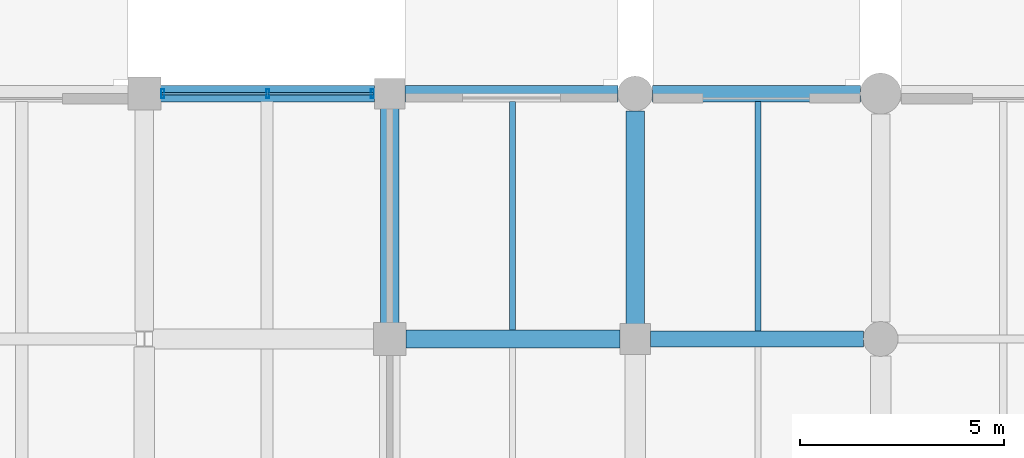
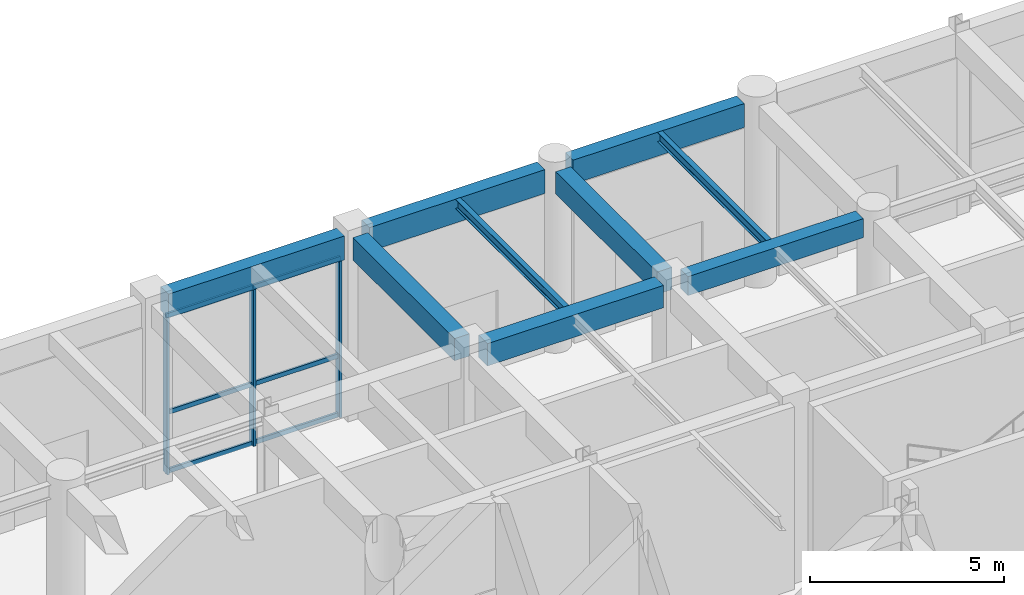
# One storey, part 66 of 106: 9 beams, 9 members, 1 element without a shape of its own.
"""IFC4 building model written with IfcOpenShell, lengths in metres."""

from ifc_helpers import new_model, si_unit, direction, frame, origin, origin_2d, place, context, subcontext, project, spatial, rectangle, hollow_rectangle, i_section, extrude, material, material_profile, profile_set, type_object, element, aggregate, save


model = new_model("IFC4")

# Units and contexts
model_context = context("Model", 3, precision=1e-05, world=origin(), true_north=direction((0.0, 1.0)))
body_context = subcontext(model_context, "Body", "Model", "MODEL_VIEW")
ifc_project = project(units=[si_unit("LENGTHUNIT", "METRE"), si_unit("AREAUNIT", "SQUARE_METRE"), si_unit("VOLUMEUNIT", "CUBIC_METRE"), si_unit("PLANEANGLEUNIT", "RADIAN"), si_unit("MASSUNIT", "GRAM", prefix="KILO"), si_unit("THERMODYNAMICTEMPERATUREUNIT", "KELVIN"), si_unit("POWERUNIT", "WATT")], contexts=[model_context])

# Site, building, storey
site_placement = place(None, origin())
site = spatial("IfcSite", under=ifc_project, at=site_placement, CompositionType="ELEMENT")
building_placement = place(site_placement, origin())
building = spatial("IfcBuilding", under=site, at=building_placement, Name="Phaisarnlok Congress Hotel", CompositionType="ELEMENT")
storey_placement = place(building_placement, origin())
storey = spatial("IfcBuildingStorey", under=building, at=storey_placement, Name="L00", CompositionType="ELEMENT", Elevation=0.0)

# Beams
ifc_material_1 = material(Name="Concrete C40/50", Category="concrete")
ifc_material_profile_1 = material_profile(ifc_material_1, rectangle(XDim=0.39990234375, YDim=0.60009765625, at=origin_2d()), Name="RC 400x600")
ifc_profile_set_1 = profile_set([ifc_material_profile_1], Name="Concrete C40/50")
beam_type_1 = type_object("IfcBeamType", Name="BM-RC-400x600", PredefinedType="BEAM", material=ifc_profile_set_1)
beam_1_placement = place(storey_placement, frame((156.3701171875, 120.0, 5.43994140625), z_axis=(1.0, 0.0, 0.0), x_axis=(0.0, 1.0, 0.0)))
element("IfcBeam", 1, at=beam_1_placement, inside=storey, type_object=beam_type_1, Name="Beam B-02", PredefinedType="BEAM", context=body_context, shape_type="SweptSolid", body=[
    extrude(rectangle(XDim=0.39990234375, YDim=0.60009765625, at=origin_2d()), origin(), (0.0, 0.0, 1.0), 5.2099609375),
])
ifc_material_profile_2 = material_profile(ifc_material_1, rectangle(XDim=0.449951171875, YDim=0.699951171875, at=origin_2d()), Name="RC 450x700")
ifc_profile_set_2 = profile_set([ifc_material_profile_2], Name="Concrete C40/50")
beam_type_2 = type_object("IfcBeamType", Name="BM-RC-450x700", PredefinedType="BEAM", material=ifc_profile_set_2)
for number, where, z_axis, x_axis, name in (
    (2, (150.39501953125, 120.0, 5.389892578125), (1.0, 0.0, 0.0), (0.0, 1.0, 0.0), "Beam B-03"),
    (3, (150.0, 120.39501953125, 5.389892578125), (0.0, 1.0, 0.0), (-1.0, 0.0, 0.0), "Beam B-03"),
):
    element("IfcBeam", number, at=place(storey_placement, frame(where, z_axis=z_axis, x_axis=x_axis)), inside=storey, type_object=beam_type_2, Name=name, PredefinedType="BEAM", context=body_context, shape_type="SweptSolid", body=[
        extrude(rectangle(XDim=0.449951171875, YDim=0.699951171875, at=origin_2d()), origin(), (0.0, 0.0, 1.0), 5.23486328125),
    ])
beam_2_placement = place(storey_placement, frame((156.0, 120.3701171875, 5.389892578125), z_axis=(0.0, 1.0, 0.0), x_axis=(-1.0, 0.0, 0.0)))
element("IfcBeam", 4, at=beam_2_placement, inside=storey, type_object=beam_type_2, Name="Beam B-03", PredefinedType="BEAM", context=body_context, shape_type="SweptSolid", body=[
    extrude(rectangle(XDim=0.449951171875, YDim=0.699951171875, at=origin_2d()), origin(), (0.0, 0.0, 1.0), 5.2099609375),
])

# Curtain wall, members
ifc_material_2 = material(Name="Thermally Broken Unitised Aluminium & Low-E Glazing", Category="aluminium")
curtain_wall_type = type_object("IfcCurtainWallType", Name="CW-UNIT-03", PredefinedType="NOTDEFINED", material=ifc_material_2)
curtain_wall_placement = place(storey_placement, origin())
curtain_wall = element("IfcCurtainWall", 5, at=curtain_wall_placement, inside=storey, type_object=curtain_wall_type, Name="Unitised curtain wall CW-03 (L00)", PredefinedType="NOTDEFINED")
ifc_material_3 = material(Name="Anodised Aluminium Alloy 6063-T6", Category="aluminium")
ifc_material_profile_3 = material_profile(ifc_material_3, hollow_rectangle(XDim=0.074951171875, YDim=0.219970703125, WallThickness=0.0048828125, at=origin_2d()), Name="ALU-M 75x220x5")
ifc_profile_set_3 = profile_set([ifc_material_profile_3], Name="Anodised Aluminium Alloy 6063-T6")
member_type_1 = type_object("IfcMemberType", Name="CWM-220", PredefinedType="MULLION", material=ifc_profile_set_3)
member_1_placement = place(storey_placement, frame((149.574951171875, 126.0, 0.0), z_axis=(0.0, 0.0, 1.0), x_axis=(-1.0, 0.0, 0.0)))
member_1 = element("IfcMember", 6, at=member_1_placement, type_object=member_type_1, Name="Curtain wall mullion CWM-02", PredefinedType="MULLION", context=body_context, shape_type="SweptSolid", body=[
    extrude(hollow_rectangle(XDim=0.074951171875, YDim=0.219970703125, WallThickness=0.0048828125, at=origin_2d()), origin(), (0.0, 0.0, 1.0), 4.989990234375),
])
member_2_placement = place(storey_placement, frame((147.012451171875, 126.0, 0.0), z_axis=(0.0, 0.0, 1.0), x_axis=(-1.0, 0.0, 0.0)))
member_2 = element("IfcMember", 7, at=member_2_placement, type_object=member_type_1, Name="Curtain wall mullion CWM-02", PredefinedType="MULLION", context=body_context, shape_type="SweptSolid", body=[
    extrude(hollow_rectangle(XDim=0.074951171875, YDim=0.219970703125, WallThickness=0.0048828125, at=origin_2d()), origin(), (0.0, 0.0, 1.0), 4.989990234375),
])
member_3_placement = place(storey_placement, frame((144.449951171875, 126.0, 0.0), z_axis=(0.0, 0.0, 1.0), x_axis=(-1.0, 0.0, 0.0)))
member_3 = element("IfcMember", 8, at=member_3_placement, type_object=member_type_1, Name="Curtain wall mullion CWM-02", PredefinedType="MULLION", context=body_context, shape_type="SweptSolid", body=[
    extrude(hollow_rectangle(XDim=0.074951171875, YDim=0.219970703125, WallThickness=0.0048828125, at=origin_2d()), origin(), (0.0, 0.0, 1.0), 4.989990234375),
])
ifc_material_profile_4 = material_profile(ifc_material_3, hollow_rectangle(XDim=0.06494140625, YDim=0.139892578125, WallThickness=0.00390625, at=origin_2d()), Name="ALU-T 65x140x4")
ifc_profile_set_4 = profile_set([ifc_material_profile_4], Name="Anodised Aluminium Alloy 6063-T6")
member_type_2 = type_object("IfcMemberType", Name="CWT-150", PredefinedType="USERDEFINED", material=ifc_profile_set_4)
member_4_placement = place(storey_placement, frame((149.60009765625, 126.0, 0.050048828125), z_axis=(-1.0, 0.0, 0.0), x_axis=(0.0, -1.0, 0.0)))
member_4 = element("IfcMember", 9, at=member_4_placement, type_object=member_type_2, Name="Curtain wall transom CWT-01", ObjectType="TRANSOM", PredefinedType="USERDEFINED", context=body_context, shape_type="SweptSolid", body=[
    extrude(hollow_rectangle(XDim=0.06494140625, YDim=0.139892578125, WallThickness=0.00390625, at=origin_2d()), origin(), (0.0, 0.0, 1.0), 2.572509765625),
])
member_5_placement = place(storey_placement, frame((149.60009765625, 126.0, 1.896240234375), z_axis=(-1.0, 0.0, 0.0), x_axis=(0.0, -1.0, 0.0)))
member_5 = element("IfcMember", 10, at=member_5_placement, type_object=member_type_2, Name="Curtain wall transom CWT-01", ObjectType="TRANSOM", PredefinedType="USERDEFINED", context=body_context, shape_type="SweptSolid", body=[
    extrude(hollow_rectangle(XDim=0.06494140625, YDim=0.139892578125, WallThickness=0.00390625, at=origin_2d()), origin(), (0.0, 0.0, 1.0), 2.572509765625),
])
member_6_placement = place(storey_placement, frame((149.60009765625, 126.0, 4.93994140625), z_axis=(-1.0, 0.0, 0.0), x_axis=(0.0, -1.0, 0.0)))
member_6 = element("IfcMember", 11, at=member_6_placement, type_object=member_type_2, Name="Curtain wall transom CWT-01", ObjectType="TRANSOM", PredefinedType="USERDEFINED", context=body_context, shape_type="SweptSolid", body=[
    extrude(hollow_rectangle(XDim=0.06494140625, YDim=0.139892578125, WallThickness=0.00390625, at=origin_2d()), origin(), (0.0, 0.0, 1.0), 2.572509765625),
])
member_7_placement = place(storey_placement, frame((146.99755859375, 126.0, 0.050048828125), z_axis=(-1.0, 0.0, 0.0), x_axis=(0.0, -1.0, 0.0)))
member_7 = element("IfcMember", 12, at=member_7_placement, type_object=member_type_2, Name="Curtain wall transom CWT-01", ObjectType="TRANSOM", PredefinedType="USERDEFINED", context=body_context, shape_type="SweptSolid", body=[
    extrude(hollow_rectangle(XDim=0.06494140625, YDim=0.139892578125, WallThickness=0.00390625, at=origin_2d()), origin(), (0.0, 0.0, 1.0), 2.572509765625),
])
member_8_placement = place(storey_placement, frame((146.99755859375, 126.0, 1.896240234375), z_axis=(-1.0, 0.0, 0.0), x_axis=(0.0, -1.0, 0.0)))
member_8 = element("IfcMember", 13, at=member_8_placement, type_object=member_type_2, Name="Curtain wall transom CWT-01", ObjectType="TRANSOM", PredefinedType="USERDEFINED", context=body_context, shape_type="SweptSolid", body=[
    extrude(hollow_rectangle(XDim=0.06494140625, YDim=0.139892578125, WallThickness=0.00390625, at=origin_2d()), origin(), (0.0, 0.0, 1.0), 2.572509765625),
])
member_9_placement = place(storey_placement, frame((146.99755859375, 126.0, 4.93994140625), z_axis=(-1.0, 0.0, 0.0), x_axis=(0.0, -1.0, 0.0)))
member_9 = element("IfcMember", 14, at=member_9_placement, type_object=member_type_2, Name="Curtain wall transom CWT-01", ObjectType="TRANSOM", PredefinedType="USERDEFINED", context=body_context, shape_type="SweptSolid", body=[
    extrude(hollow_rectangle(XDim=0.06494140625, YDim=0.139892578125, WallThickness=0.00390625, at=origin_2d()), origin(), (0.0, 0.0, 1.0), 2.572509765625),
])
aggregate(curtain_wall, [member_1, member_2, member_3, member_4, member_5, member_6, member_7, member_8, member_9])

# Beams
ifc_material_4 = material(Name="Steel S355", Category="steel")
ifc_material_profile_5 = material_profile(ifc_material_4, i_section(OverallWidth=0.14990234375, OverallDepth=0.300048828125, WebThickness=0.007080078125, FlangeThickness=0.0107421875, FilletRadius=0.014892578125, at=origin_2d()), Name="IPE 300")
ifc_profile_set_5 = profile_set([ifc_material_profile_5], Name="Steel S355")
beam_type_3 = type_object("IfcBeamType", Name="JS-STL-IPE300", PredefinedType="JOIST", material=ifc_profile_set_5)
beam_3_placement = place(storey_placement, frame((153.0, 120.219970703125, 5.590087890625), z_axis=(0.0, 1.0, 0.0), x_axis=(-1.0, 0.0, 0.0)))
element("IfcBeam", 15, at=beam_3_placement, inside=storey, type_object=beam_type_3, Name="Secondary floor joist J-03", PredefinedType="JOIST", context=body_context, shape_type="SweptSolid", body=[
    extrude(i_section(OverallWidth=0.14990234375, OverallDepth=0.300048828125, WebThickness=0.007080078125, FlangeThickness=0.0107421875, FilletRadius=0.014892578125, at=origin_2d()), origin(), (0.0, 0.0, 1.0), 5.5849609375),
])
beam_4_placement = place(storey_placement, frame((159.0, 120.195068359375, 5.590087890625), z_axis=(0.0, 1.0, 0.0), x_axis=(-1.0, 0.0, 0.0)))
element("IfcBeam", 16, at=beam_4_placement, inside=storey, type_object=beam_type_3, Name="Secondary floor joist J-03", PredefinedType="JOIST", context=body_context, shape_type="SweptSolid", body=[
    extrude(i_section(OverallWidth=0.14990234375, OverallDepth=0.300048828125, WebThickness=0.007080078125, FlangeThickness=0.0107421875, FilletRadius=0.014892578125, at=origin_2d()), origin(), (0.0, 0.0, 1.0), 5.60986328125),
])
ifc_material_profile_6 = material_profile(ifc_material_1, rectangle(XDim=0.39990234375, YDim=0.75, at=origin_2d()), Name="RC 400x750")
ifc_profile_set_6 = profile_set([ifc_material_profile_6], Name="Concrete C40/50")
beam_type_4 = type_object("IfcBeamType", Name="SP-RC-400x750", PredefinedType="SPANDREL", material=ifc_profile_set_6)
beam_5_placement = place(storey_placement, frame((144.39501953125, 126.0, 5.364990234375), z_axis=(1.0, 0.0, 0.0), x_axis=(0.0, 1.0, 0.0)))
element("IfcBeam", 17, at=beam_5_placement, inside=storey, type_object=beam_type_4, Name="Beam SP-02", PredefinedType="SPANDREL", context=body_context, shape_type="SweptSolid", body=[
    extrude(rectangle(XDim=0.39990234375, YDim=0.75, at=origin_2d()), origin(), (0.0, 0.0, 1.0), 5.23486328125),
])
beam_6_placement = place(storey_placement, frame((150.3701171875, 126.0, 5.364990234375), z_axis=(1.0, 0.0, 0.0), x_axis=(0.0, 1.0, 0.0)))
element("IfcBeam", 18, at=beam_6_placement, inside=storey, type_object=beam_type_4, Name="Beam SP-02", PredefinedType="SPANDREL", context=body_context, shape_type="SweptSolid", body=[
    extrude(rectangle(XDim=0.39990234375, YDim=0.75, at=origin_2d()), origin(), (0.0, 0.0, 1.0), 5.2099609375),
])
beam_7_placement = place(storey_placement, frame((156.419921875, 126.0, 5.364990234375), z_axis=(1.0, 0.0, 0.0), x_axis=(0.0, 1.0, 0.0)))
element("IfcBeam", 19, at=beam_7_placement, inside=storey, type_object=beam_type_4, Name="Beam SP-02", PredefinedType="SPANDREL", context=body_context, shape_type="SweptSolid", body=[
    extrude(rectangle(XDim=0.39990234375, YDim=0.75, at=origin_2d()), origin(), (0.0, 0.0, 1.0), 5.0849609375),
])

save(model, "model.ifc")
